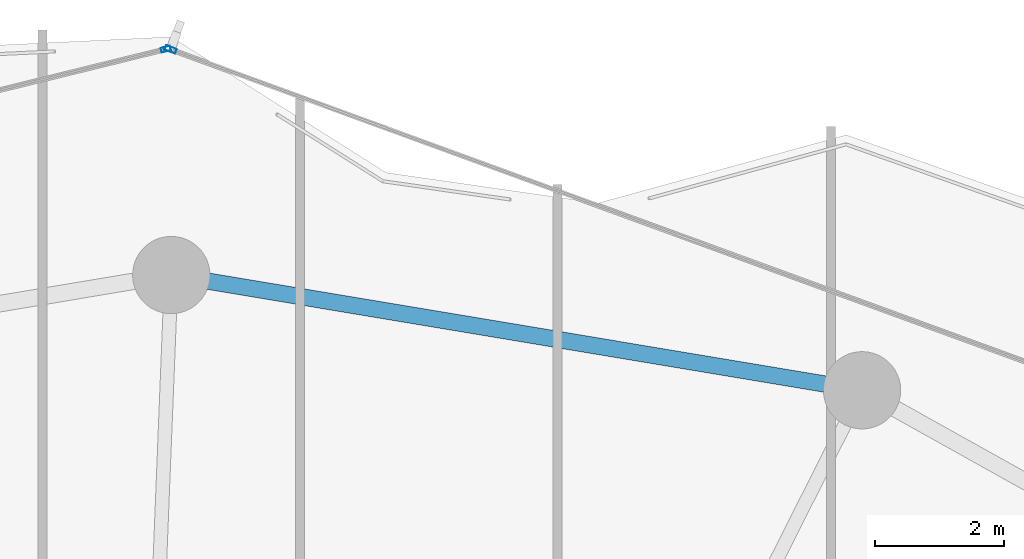
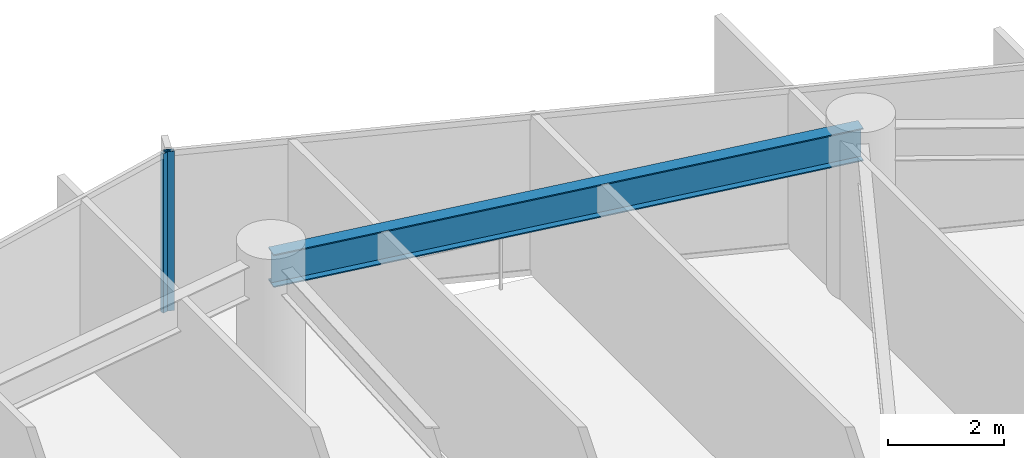
# One storey, part 19 of 28: 2 members, 1 beam, 2 elements without a shape of their own.
"""IFC4 building model written with IfcOpenShell, lengths in metres."""

from ifc_helpers import new_model, si_unit, direction, frame, origin, origin_2d, place, context, subcontext, project, spatial, hollow_rectangle, i_section, extrude, material, layer, layer_set, material_profile, profile_set, type_object, element, aggregate, save


model = new_model("IFC4")

# Units and contexts
model_context = context("Model", 3, precision=1e-05, world=origin(), true_north=direction((0.0, 1.0)))
body_context = subcontext(model_context, "Body", "Model", "MODEL_VIEW")
ifc_project = project(units=[si_unit("LENGTHUNIT", "METRE"), si_unit("AREAUNIT", "SQUARE_METRE"), si_unit("VOLUMEUNIT", "CUBIC_METRE"), si_unit("PLANEANGLEUNIT", "RADIAN"), si_unit("MASSUNIT", "GRAM", prefix="KILO")], contexts=[model_context])

# Site, building, storey
site_placement = place(None, origin())
site = spatial("IfcSite", under=ifc_project, at=site_placement, CompositionType="ELEMENT")
building_placement = place(site_placement, origin())
building = spatial("IfcBuilding", under=site, at=building_placement, Name="Kazevale Care Tower and Concert Hall", CompositionType="ELEMENT")
storey_placement = place(building_placement, frame((0.0, 0.0, 138.60009765625)))
storey = spatial("IfcBuildingStorey", under=building, at=storey_placement, Name="L36", CompositionType="ELEMENT", Elevation=138.60009765625)

# Curtain wall, member
ifc_material_1 = material(Name="Aluminium 6063-T6 and Low-E Glass", Category="aluminium")
ifc_layer_1 = layer(ifc_material_1, 0.179931640625)
ifc_layer_set_1 = layer_set([ifc_layer_1], Name="Aluminium 6063-T6 and Low-E Glass")
curtain_wall_type_1 = type_object("IfcCurtainWallType", Name="Convex Checkerboard Finned Curtain Wall CW-2", PredefinedType="NOTDEFINED", material=ifc_layer_set_1)
curtain_wall_1_placement = place(storey_placement, origin())
curtain_wall_1 = element("IfcCurtainWall", 1, at=curtain_wall_1_placement, inside=storey, type_object=curtain_wall_type_1, Name="cw:L36:f16", PredefinedType="NOTDEFINED")
ifc_material_2 = material(Name="Aluminium 6063-T6", Category="aluminium")
ifc_material_profile_1 = material_profile(ifc_material_2, hollow_rectangle(XDim=0.080078125, YDim=0.179931640625, WallThickness=0.0048828125, at=origin_2d()), Name="ALU80x180x5")
ifc_profile_set_1 = profile_set([ifc_material_profile_1], Name="Aluminium 6063-T6")
member_type_1 = type_object("IfcMemberType", Name="CW-2 Mullion ALU80x180x5", PredefinedType="MULLION", material=ifc_profile_set_1)
member_1_placement = place(storey_placement, frame((44.989501953125, 64.953369140625, 0.0), z_axis=(0.0, 0.0, 1.0), x_axis=(0.343143453498, 0.939283008641, 0.0)))
member_1 = element("IfcMember", 2, at=member_1_placement, type_object=member_type_1, Name="CW-2 mullion 1", PredefinedType="MULLION", context=body_context, shape_type="SweptSolid", body=[
    extrude(hollow_rectangle(XDim=0.080078125, YDim=0.179931640625, WallThickness=0.0048828125, at=origin_2d()), origin(), (0.0, 0.0, 1.0), 3.35986328125),
])
aggregate(curtain_wall_1, [member_1])

ifc_layer_2 = layer(ifc_material_1, 0.179931640625)
ifc_layer_set_2 = layer_set([ifc_layer_2], Name="Aluminium 6063-T6 and Low-E Glass")
curtain_wall_type_2 = type_object("IfcCurtainWallType", Name="Convex Recessed Sunroom Curtain Wall CW-3", PredefinedType="NOTDEFINED", material=ifc_layer_set_2)
curtain_wall_2_placement = place(storey_placement, origin())
curtain_wall_2 = element("IfcCurtainWall", 3, at=curtain_wall_2_placement, inside=storey, type_object=curtain_wall_type_2, Name="cw:L36:f15", PredefinedType="NOTDEFINED")
ifc_material_profile_2 = material_profile(ifc_material_2, hollow_rectangle(XDim=0.074951171875, YDim=0.14990234375, WallThickness=0.00390625, at=origin_2d()), Name="ALU75x150x4")
ifc_profile_set_2 = profile_set([ifc_material_profile_2], Name="Aluminium 6063-T6")
member_type_2 = type_object("IfcMemberType", Name="CW-3 Mullion ALU75x150x4", PredefinedType="MULLION", material=ifc_profile_set_2)
member_2_placement = place(storey_placement, frame((44.91552734375, 64.9580078125, 0.0), z_axis=(0.0, 0.0, 1.0), x_axis=(-0.239088999495, 0.970997657217, 0.0)))
member_2 = element("IfcMember", 4, at=member_2_placement, type_object=member_type_2, Name="CW-3 mullion 2", PredefinedType="MULLION", context=body_context, shape_type="SweptSolid", body=[
    extrude(hollow_rectangle(XDim=0.074951171875, YDim=0.14990234375, WallThickness=0.00390625, at=origin_2d()), origin(), (0.0, 0.0, 1.0), 3.35986328125),
])
aggregate(curtain_wall_2, [member_2])

# Beam
ifc_material_3 = material(Name="Steel ASTM A572 Gr 50", Category="steel")
ifc_material_profile_3 = material_profile(ifc_material_3, i_section(OverallWidth=0.256103515625, OverallDepth=0.693115234375, WebThickness=0.014404296875, FlangeThickness=0.023681640625, at=origin_2d()), Name="W690x170")
ifc_profile_set_3 = profile_set([ifc_material_profile_3], Name="Steel ASTM A572 Gr 50")
beam_type = type_object("IfcBeamType", Name="Waist Ring Beam W690x170", PredefinedType="BEAM", material=ifc_profile_set_3)
beam_placement = place(storey_placement, frame((55.72998046875, 59.659912109375, 3.013427734375), z_axis=(-0.986368436187, 0.164551840139, 0.0), x_axis=(-0.164551840139, -0.986368436187, 0.0)))
element("IfcBeam", 5, at=beam_placement, inside=storey, type_object=beam_type, Name="beam:L36:ring:04", PredefinedType="BEAM", context=body_context, shape_type="SweptSolid", body=[
    extrude(i_section(OverallWidth=0.256103515625, OverallDepth=0.693115234375, WebThickness=0.014404296875, FlangeThickness=0.023681640625, at=origin_2d()), origin(), (0.0, 0.0, 1.0), 10.878173828125),
])

save(model, "model.ifc")
